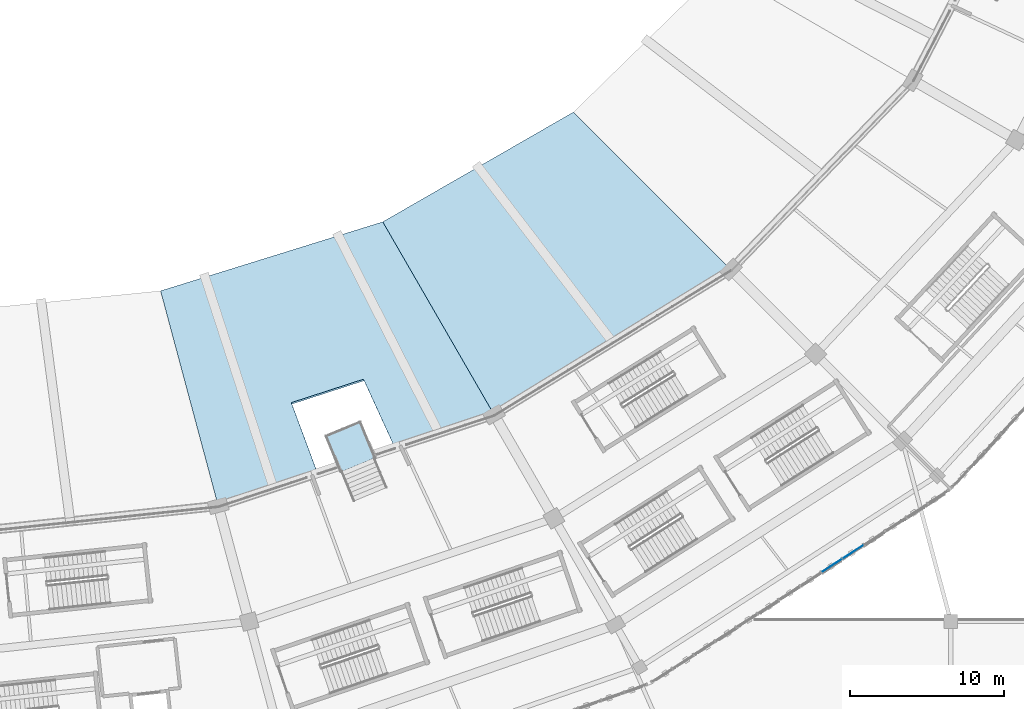
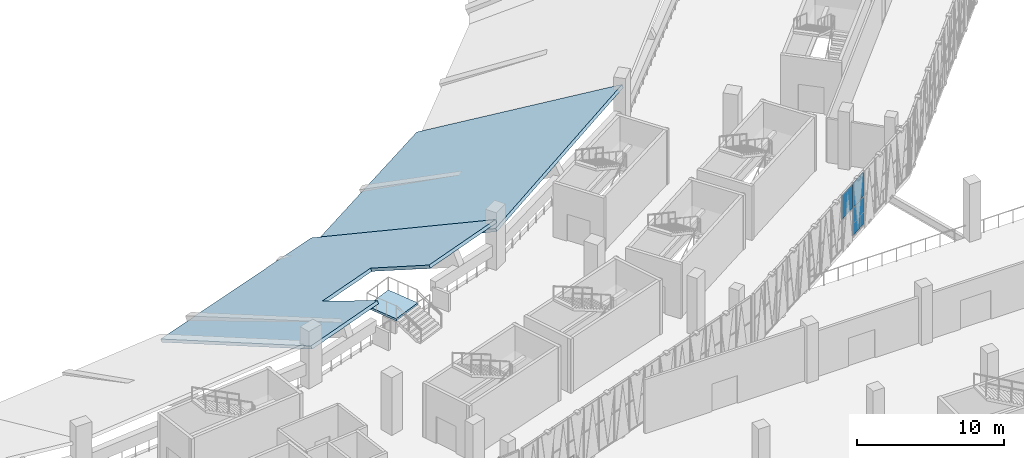
# One storey, part 80 of 183: 3 plates, 3 slabs, 2 elements without a shape of their own.
"""IFC4 building model written with IfcOpenShell, lengths in metres."""

from ifc_helpers import new_model, si_unit, direction, frame, origin, origin_2d, place, context, subcontext, project, spatial, polyline, rectangle, outline, extrude, material, layer, layer_set, type_object, element, aggregate, save


model = new_model("IFC4")

# Units and contexts
model_context = context("Model", 3, precision=1e-05, world=origin(), true_north=direction((0.0, 1.0)))
body_context = subcontext(model_context, "Body", "Model", "MODEL_VIEW")
ifc_project = project(units=[si_unit("LENGTHUNIT", "METRE"), si_unit("AREAUNIT", "SQUARE_METRE"), si_unit("VOLUMEUNIT", "CUBIC_METRE"), si_unit("PLANEANGLEUNIT", "RADIAN"), si_unit("MASSUNIT", "GRAM", prefix="KILO")], contexts=[model_context])

# Site, building, storey
site_placement = place(None, origin())
site = spatial("IfcSite", under=ifc_project, at=site_placement, CompositionType="ELEMENT")
building_placement = place(site_placement, origin())
building = spatial("IfcBuilding", under=site, at=building_placement, Name="Zevraka Park Crest Stadium", CompositionType="ELEMENT")
storey_placement = place(building_placement, frame((0.0, 0.0, 5.39990234375)))
storey = spatial("IfcBuildingStorey", under=building, at=storey_placement, Name="L01", CompositionType="ELEMENT", Elevation=5.39990234375)

# Curtain wall, plates
ifc_material_1 = material(Name="Anodised architectural aluminium and laminated safety glass", Category="aluminium")
curtain_wall_type = type_object("IfcCurtainWallType", Name="CW03", PredefinedType="NOTDEFINED", material=ifc_material_1)
curtain_wall_placement = place(storey_placement, origin())
curtain_wall = element("IfcCurtainWall", 1, at=curtain_wall_placement, inside=storey, type_object=curtain_wall_type, Name="Unitised Ring Curtain Wall CW03 L01-20", PredefinedType="NOTDEFINED")
ifc_material_2 = material(Name="Solar-control laminated double glazing", Category="glass")
ifc_layer_1 = layer(ifc_material_2, 0.028076171875)
ifc_layer_set_1 = layer_set([ifc_layer_1], Name="Solar-control laminated double glazing")
plate_type = type_object("IfcPlateType", Name="CP03", PredefinedType="CURTAIN_PANEL", material=ifc_layer_set_1)
plate_1_placement = place(storey_placement, frame((171.251953125, 30.6416015625, 2.43505859375), z_axis=(0.0, 0.0, 1.0), x_axis=(0.840010186018, 0.542570628938, 0.0)))
plate_1 = element("IfcPlate", 2, at=plate_1_placement, type_object=plate_type, Name="CW03 panel 9.2", PredefinedType="CURTAIN_PANEL", context=body_context, shape_type="SweptSolid", body=[
    extrude(rectangle(XDim=1.57958984375, YDim=0.028076171875, at=origin_2d()), origin(), (0.0, 0.0, 1.0), 2.014892578125),
])
plate_2_placement = place(storey_placement, frame((172.6376953125, 31.53662109375, 0.070068359375), z_axis=(0.0, 0.0, 1.0), x_axis=(0.840010186018, 0.542570628938, 0.0)))
plate_2 = element("IfcPlate", 3, at=plate_2_placement, type_object=plate_type, Name="CW03 panel 10.1", PredefinedType="CURTAIN_PANEL", context=body_context, shape_type="SweptSolid", body=[
    extrude(rectangle(XDim=1.57958984375, YDim=0.028076171875, at=origin_2d()), origin(), (0.0, 0.0, 1.0), 2.294921875),
])
plate_3_placement = place(storey_placement, frame((172.6376953125, 31.53662109375, 2.43505859375), z_axis=(0.0, 0.0, 1.0), x_axis=(0.840010186018, 0.542570628938, 0.0)))
plate_3 = element("IfcPlate", 4, at=plate_3_placement, type_object=plate_type, Name="CW03 panel 10.2", PredefinedType="CURTAIN_PANEL", context=body_context, shape_type="SweptSolid", body=[
    extrude(rectangle(XDim=1.57958984375, YDim=0.028076171875, at=origin_2d()), origin(), (0.0, 0.0, 1.0), 2.014892578125),
])
aggregate(curtain_wall, [plate_1, plate_2, plate_3])

# Stair, slab
ifc_material_3 = material(Name="Concrete C35/45", Category="concrete")
stair_type = type_object("IfcStairType", Name="VST1", PredefinedType="STRAIGHT_RUN_STAIR", material=ifc_material_3)
stair_placement = place(storey_placement, origin())
stair = element("IfcStair", 5, at=stair_placement, inside=storey, type_object=stair_type, Name="Vomitory Stair VS-07", PredefinedType="STRAIGHT_RUN_STAIR")
ifc_material_4 = material(Name="Concrete C35/45", Category="concrete")
ifc_layer_2 = layer(ifc_material_4, 0.179931640625)
ifc_layer_set_2 = layer_set([ifc_layer_2], Name="Concrete C35/45")
slab_type_1 = type_object("IfcSlabType", Name="LS02", PredefinedType="LANDING", material=ifc_layer_set_2)
slab_1_placement = place(storey_placement, frame((0.0, 0.0, 1.02001953125)))
slab_1 = element("IfcSlab", 6, at=slab_1_placement, type_object=slab_type_1, Name="VST1 landing 1", PredefinedType="LANDING", context=body_context, shape_type="SweptSolid", body=[
    extrude(outline(polyline([(141.4990234375, 37.657958984375), (140.531982421875, 39.990966796875), (138.31494140625, 39.072998046875), (139.281005859375, 36.739990234375), (141.4990234375, 37.657958984375)])), origin(), (0.0, 0.0, 1.0), 0.18017578125),
])
aggregate(stair, [slab_1])

# Slabs
ifc_material_5 = material(Name="Concrete C35/45", Category="concrete")
ifc_layer_3 = layer(ifc_material_5, 0.25)
ifc_layer_set_3 = layer_set([ifc_layer_3], Name="Concrete C35/45")
slab_type_2 = type_object("IfcSlabType", Name="STL1", PredefinedType="USERDEFINED", material=ifc_layer_set_3)
slab_2_placement = place(storey_placement, frame((127.529052734375, 48.532958984375, -3.517578125), z_axis=(-0.159657844847, 0.38546840935, 0.908803321941), x_axis=(0.954130821323, 0.296445845259, 0.041883608131)))
element("IfcSlab", 7, at=slab_2_placement, inside=storey, type_object=slab_type_2, Name="Lower Tier Raked Seating Slab 19", ObjectType="SEATING TIER", PredefinedType="USERDEFINED", context=body_context, shape_type="SweptSolid", body=[
    extrude(outline(polyline([(0.0, 0.0), (15.166631837628906, 3.885780586188048e-16), (18.637718005547804, -15.54932033384426), (11.822449758424423, -15.686176936828822), (11.1033221957175, -10.352900012660008), (6.159775305708769, -10.422296521120057), (6.520511215086921, -15.791827755735074), (-0.2947672575267279, -15.928583011748259), (0.0, 0.0)])), origin(), (0.0, 0.0, -1.0), 0.25),
])
slab_3_placement = place(storey_placement, frame((142.0, 53.029052734375, -3.634033203125), z_axis=(-0.253986817766, 0.331008638515, 0.90880359684), x_axis=(0.865142273131, 0.497870353096, 0.060447983836)))
element("IfcSlab", 8, at=slab_3_placement, inside=storey, type_object=slab_type_2, Name="Lower Tier Raked Seating Slab 20", ObjectType="SEATING TIER", PredefinedType="USERDEFINED", context=body_context, shape_type="SweptSolid", body=[
    extrude(outline(polyline([(0.0, 0.0), (14.362969225646921, -2.7755575615628914e-16), (18.52753023658509, -15.377243978186552), (0.41893567269099374, -15.926528025140568), (0.0, 0.0)])), origin(), (0.0, 0.0, -1.0), 0.25),
])

save(model, "model.ifc")
